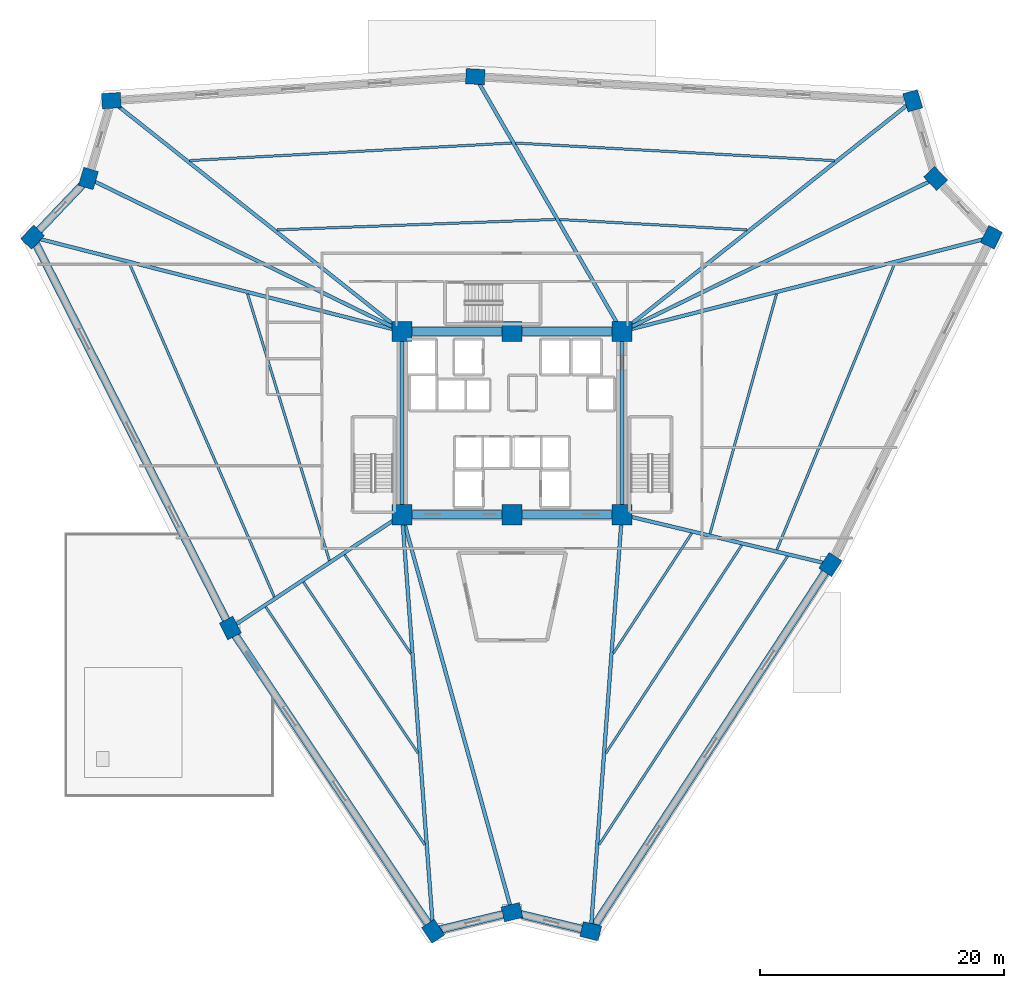
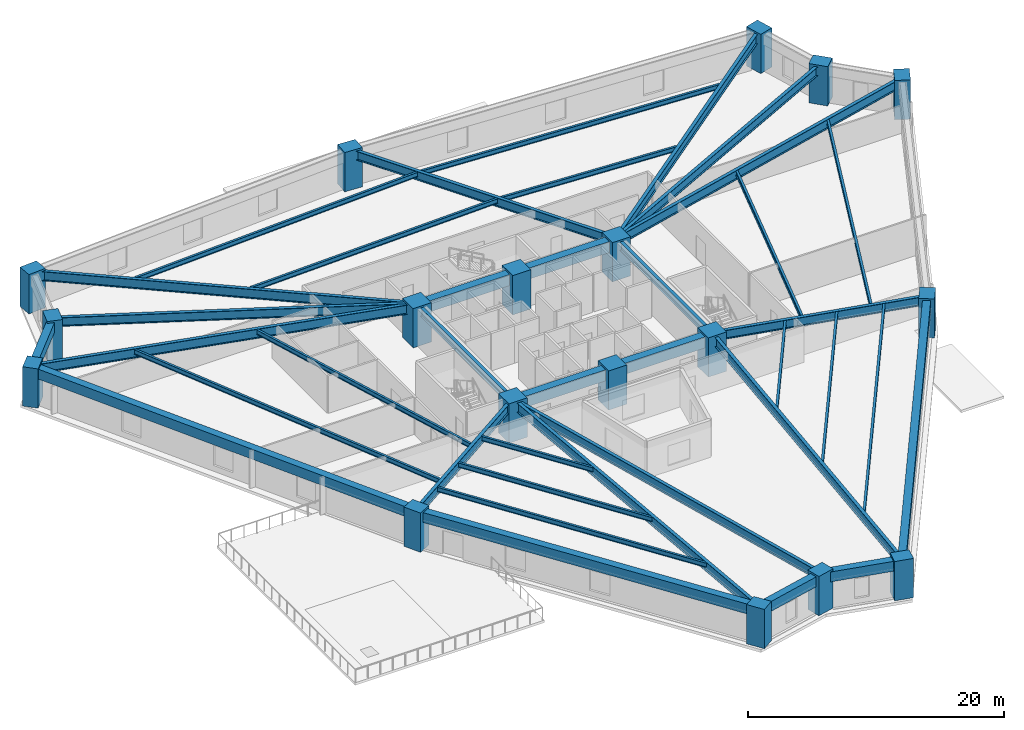
# One storey, part 1 of 9: 38 beams, 18 columns.
"""IFC4 building model written with IfcOpenShell, lengths in metres."""

from ifc_helpers import new_model, si_unit, direction, frame, origin, origin_2d, place, context, subcontext, project, spatial, rectangle, i_section, extrude, source, transform, mapped, material, material_profile, profile_set, type_object, element, save


model = new_model("IFC4")

# Units and contexts
model_context = context("Model", 3, precision=1e-05, world=origin(), true_north=direction((0.0, 1.0)))
body_context = subcontext(model_context, "Body", "Model", "MODEL_VIEW")
ifc_project = project(units=[si_unit("LENGTHUNIT", "METRE"), si_unit("AREAUNIT", "SQUARE_METRE"), si_unit("VOLUMEUNIT", "CUBIC_METRE"), si_unit("PLANEANGLEUNIT", "RADIAN"), si_unit("MASSUNIT", "GRAM", prefix="KILO")], contexts=[model_context])

# Site, building, storey
site_placement = place(None, origin())
site = spatial("IfcSite", under=ifc_project, at=site_placement, CompositionType="ELEMENT")
building_placement = place(site_placement, origin())
building = spatial("IfcBuilding", under=site, at=building_placement, Name="Liaohun Quay Tower", CompositionType="ELEMENT")
storey_placement = place(building_placement, frame((0.0, 0.0, 28.5)))
storey = spatial("IfcBuildingStorey", under=building, at=storey_placement, Name="L07", CompositionType="ELEMENT", Elevation=28.5)

# Columns
ifc_material_1 = material(Name="Concrete C60", Category="concrete")
ifc_material_profile_1 = material_profile(ifc_material_1, rectangle(XDim=1.64990234375, YDim=1.64990234375, at=origin_2d()), Name="RC1650x1650")
ifc_profile_set_1 = profile_set([ifc_material_profile_1], Name="Concrete C60")
column_type_1 = type_object("IfcColumnType", Name="COL-CC-Z1", PredefinedType="COLUMN", material=ifc_profile_set_1)
shared_shape_1 = source(origin(), body_context, "Body", "SweptSolid", [
    extrude(rectangle(XDim=1.64990234375, YDim=1.64990234375, at=origin_2d()), origin(), (0.0, 0.0, 1.0), 3.75),
])
for number, where, z_axis, x_axis, name in (
    (1, (51.0, 46.5, 0.0), (0.0, 0.0, 1.0), (1.0, 0.0, 0.0), "L07 Core Column CC1"),
    (2, (60.0, 46.5, 0.0), (0.0, 0.0, 1.0), (1.0, 0.0, 0.0), "L07 Core Column CC2"),
    (3, (69.0, 46.5, 0.0), (0.0, 0.0, 1.0), (1.0, 0.0, 0.0), "L07 Core Column CC3"),
    (4, (69.0, 61.5, 0.0), (0.0, 0.0, 1.0), (1.0, 0.0, 0.0), "L07 Core Column CC4"),
    (5, (60.0, 61.5, 0.0), (0.0, 0.0, 1.0), (1.0, 0.0, 0.0), "L07 Core Column CC5"),
    (6, (51.0, 61.5, 0.0), (0.0, 0.0, 1.0), (1.0, 0.0, 0.0), "L07 Core Column CC6"),
):
    element("IfcColumn", number, at=place(storey_placement, frame(where, z_axis=z_axis, x_axis=x_axis)), inside=storey, type_object=column_type_1, Name=name, PredefinedType="COLUMN", context=body_context, shape_type="MappedRepresentation", body=[
        mapped(shared_shape_1, transform((0.0, 0.0, 0.0), x_axis=(1.0, 0.0, 0.0), y_axis=(0.0, 1.0, 0.0), z_axis=(0.0, 0.0, 1.0), scale=1.0)),
    ])
ifc_material_profile_2 = material_profile(ifc_material_1, rectangle(XDim=1.550048828125, YDim=1.25, at=origin_2d()), Name="RC1550x1250")
ifc_profile_set_2 = profile_set([ifc_material_profile_2], Name="Concrete C60")
column_type_2 = type_object("IfcColumnType", Name="COL-PIER-Z1", PredefinedType="COLUMN", material=ifc_profile_set_2)
shared_shape_2 = source(origin(), body_context, "Body", "SweptSolid", [
    extrude(rectangle(XDim=1.550048828125, YDim=1.25, at=origin_2d()), origin(), (0.0, 0.0, 1.0), 3.75),
])
for number, where, z_axis, x_axis, name in (
    (7, (53.5458984375, 12.39697265625, 0.0), (0.0, 0.0, 1.0), (-0.556005513314, 0.831178602446, 0.0), "L07 Perimeter Pier PC01"),
    (8, (36.94091796875, 37.217041015625, 0.0), (0.0, 0.0, 1.0), (-0.451500573218, 0.892270829056, 0.0), "L07 Perimeter Pier PC02"),
    (9, (20.748046875, 69.217041015625, 0.0), (0.0, 0.0, 1.0), (0.68936671806, 0.724412539946, 0.0), "L07 Perimeter Pier PC03"),
    (10, (25.321044921875, 74.02197265625, 0.0), (0.0, 0.0, 1.0), (0.282676303383, 0.959215360337, 0.0), "L07 Perimeter Pier PC04"),
    (11, (27.198974609375, 80.39111328125, 0.0), (0.0, 0.0, 1.0), (0.997824541457, 0.065925597951, 0.0), "L07 Perimeter Pier PC05"),
    (12, (56.9951171875, 82.360107421875, 0.0), (0.0, 0.0, 1.0), (-0.998479491627, 0.055124448298, 0.0), "L07 Perimeter Pier PC06"),
    (13, (92.802978515625, 80.384033203125, 0.0), (0.0, 0.0, 1.0), (-0.282676303383, 0.959215360337, 0.0), "L07 Perimeter Pier PC07"),
    (14, (94.678955078125, 74.02197265625, 0.0), (0.0, 0.0, 1.0), (-0.68936671806, 0.724412539946, 0.0), "L07 Perimeter Pier PC08"),
    (15, (99.256103515625, 69.2119140625, 0.0), (0.0, 0.0, 1.0), (0.441819028143, 0.897104200397, 0.0), "L07 Perimeter Pier PC09"),
    (16, (86.06396484375, 42.423095703125, 0.0), (0.0, 0.0, 1.0), (0.546978918409, 0.837146380758, 0.0), "L07 Perimeter Pier PC10"),
    (17, (66.447998046875, 12.39892578125, 0.0), (0.0, 0.0, 1.0), (-0.972043021443, 0.234802820391, 0.0), "L07 Perimeter Pier PC11"),
    (18, (60.0, 13.9560546875, 0.0), (0.0, 0.0, 1.0), (0.972043021443, 0.234802820391, 0.0), "L07 Perimeter Pier PC12"),
):
    element("IfcColumn", number, at=place(storey_placement, frame(where, z_axis=z_axis, x_axis=x_axis)), inside=storey, type_object=column_type_2, Name=name, PredefinedType="COLUMN", context=body_context, shape_type="MappedRepresentation", body=[
        mapped(shared_shape_2, transform((0.0, 0.0, 0.0), x_axis=(1.0, 0.0, 0.0), y_axis=(0.0, 1.0, 0.0), z_axis=(0.0, 0.0, 1.0), scale=1.0)),
    ])

# Beams
ifc_material_profile_3 = material_profile(ifc_material_1, rectangle(XDim=0.699951171875, YDim=1.050048828125, at=origin_2d()), Name="RC700x1050")
ifc_profile_set_3 = profile_set([ifc_material_profile_3], Name="Concrete C60")
beam_type_1 = type_object("IfcBeamType", Name="BM-CPL-1", PredefinedType="LINTEL", material=ifc_profile_set_3)
shared_shape_3 = source(origin(), body_context, "Body", "SweptSolid", [
    extrude(rectangle(XDim=0.699951171875, YDim=1.050048828125, at=origin_2d()), origin(), (0.0, 0.0, 1.0), 9.0),
])
for number, where, z_axis, x_axis, name in (
    (19, (51.0, 46.5, 3.044921875), (1.0, 0.0, 0.0), (0.0, 1.0, 0.0), "L07 Core Coupling/Ring Beam CC1-CC2"),
    (20, (60.0, 46.5, 3.044921875), (1.0, 0.0, 0.0), (0.0, 1.0, 0.0), "L07 Core Coupling/Ring Beam CC2-CC3"),
    (21, (69.0, 61.5, 3.044921875), (-1.0, 0.0, 0.0), (0.0, -1.0, 0.0), "L07 Core Coupling/Ring Beam CC4-CC5"),
    (22, (60.0, 61.5, 3.044921875), (-1.0, 0.0, 0.0), (0.0, -1.0, 0.0), "L07 Core Coupling/Ring Beam CC5-CC6"),
):
    element("IfcBeam", number, at=place(storey_placement, frame(where, z_axis=z_axis, x_axis=x_axis)), inside=storey, type_object=beam_type_1, Name=name, PredefinedType="LINTEL", context=body_context, shape_type="MappedRepresentation", body=[
        mapped(shared_shape_3, transform((0.0, 0.0, 0.0), x_axis=(1.0, 0.0, 0.0), y_axis=(0.0, 1.0, 0.0), z_axis=(0.0, 0.0, 1.0), scale=1.0)),
    ])
ifc_material_2 = material(Name="Steel Q355D", Category="steel")
ifc_material_profile_4 = material_profile(ifc_material_2, i_section(OverallWidth=0.300048828125, OverallDepth=0.800048828125, WebThickness=0.013916015625, FlangeThickness=0.02587890625, at=origin_2d()), Name="HN800x300x14x26")
ifc_profile_set_4 = profile_set([ifc_material_profile_4], Name="Steel Q355D")
beam_type_2 = type_object("IfcBeamType", Name="BM-RAD-M1", PredefinedType="BEAM", material=ifc_profile_set_4)
shared_shape_4 = source(origin(), body_context, "Body", "SweptSolid", [
    extrude(i_section(OverallWidth=0.300048828125, OverallDepth=0.800048828125, WebThickness=0.013916015625, FlangeThickness=0.02587890625, at=origin_2d()), origin(), (0.0, 0.0, 1.0), 15.0),
])
for number, where, z_axis, x_axis, name in (
    (23, (69.0, 46.5, 3.169921875), (0.0, 1.0, 0.0), (-1.0, 0.0, 0.0), "L07 Core Coupling/Ring Beam CC3-CC4"),
    (24, (51.0, 61.5, 3.169921875), (0.0, -1.0, 0.0), (1.0, 0.0, 0.0), "L07 Core Coupling/Ring Beam CC6-CC1"),
):
    element("IfcBeam", number, at=place(storey_placement, frame(where, z_axis=z_axis, x_axis=x_axis)), inside=storey, type_object=beam_type_2, Name=name, PredefinedType="BEAM", context=body_context, shape_type="MappedRepresentation", body=[
        mapped(shared_shape_4, transform((0.0, 0.0, 0.0), x_axis=(1.0, 0.0, 0.0), y_axis=(0.0, 1.0, 0.0), z_axis=(0.0, 0.0, 1.0), scale=1.0)),
    ])
ifc_material_3 = material(Name="Precast concrete C55", Category="concrete")
ifc_material_profile_5 = material_profile(ifc_material_3, rectangle(XDim=0.64990234375, YDim=0.949951171875, at=origin_2d()), Name="RC650x950")
ifc_profile_set_5 = profile_set([ifc_material_profile_5], Name="Precast concrete C55")
beam_type_3 = type_object("IfcBeamType", Name="BM-SPD-Z1", PredefinedType="SPANDREL", material=ifc_profile_set_5)
shared_shape_5 = source(origin(), body_context, "Body", "SweptSolid", [
    extrude(rectangle(XDim=0.64990234375, YDim=0.949951171875, at=origin_2d()), origin(), (0.0, 0.0, 1.0), 29.8623046875),
])
beam_1_placement = place(storey_placement, frame((53.5458984375, 12.39697265625, 3.094970703125), z_axis=(-0.556050313847, 0.831148631997, 0.0), x_axis=(-0.831148631997, -0.556050313847, 0.0)))
element("IfcBeam", 25, at=beam_1_placement, inside=storey, type_object=beam_type_3, Name="L07 Precast Spandrel Beam PC01-PC02", PredefinedType="SPANDREL", context=body_context, shape_type="MappedRepresentation", body=[
    mapped(shared_shape_5, transform((0.0, 0.0, 0.0), x_axis=(1.0, 0.0, 0.0), y_axis=(0.0, 1.0, 0.0), z_axis=(0.0, 0.0, 1.0), scale=1.0)),
])
shared_shape_6 = source(origin(), body_context, "Body", "SweptSolid", [
    extrude(rectangle(XDim=0.64990234375, YDim=0.949951171875, at=origin_2d()), origin(), (0.0, 0.0, 1.0), 35.86376953125),
])
beam_2_placement = place(storey_placement, frame((36.94091796875, 37.217041015625, 3.094970703125), z_axis=(-0.451510728303, 0.892265690379, 0.0), x_axis=(-0.892265690379, -0.451510728303, 0.0)))
element("IfcBeam", 26, at=beam_2_placement, inside=storey, type_object=beam_type_3, Name="L07 Precast Spandrel Beam PC02-PC03", PredefinedType="SPANDREL", context=body_context, shape_type="MappedRepresentation", body=[
    mapped(shared_shape_6, transform((0.0, 0.0, 0.0), x_axis=(1.0, 0.0, 0.0), y_axis=(0.0, 1.0, 0.0), z_axis=(0.0, 0.0, 1.0), scale=1.0)),
])
shared_shape_7 = source(origin(), body_context, "Body", "SweptSolid", [
    extrude(rectangle(XDim=0.64990234375, YDim=0.949951171875, at=origin_2d()), origin(), (0.0, 0.0, 1.0), 6.63330078125),
])
for number, where, z_axis, x_axis, name in (
    (27, (20.748046875, 69.217041015625, 3.094970703125), (0.689407908081, 0.724373340395, 0.0), (-0.724373340395, 0.689407908081, 0.0), "L07 Precast Spandrel Beam PC03-PC04"),
    (28, (66.447998046875, 12.39892578125, 3.094970703125), (-0.97205759762, 0.234742469335, 0.0), (-0.234742469335, -0.97205759762, 0.0), "L07 Precast Spandrel Beam PC11-PC12"),
):
    element("IfcBeam", number, at=place(storey_placement, frame(where, z_axis=z_axis, x_axis=x_axis)), inside=storey, type_object=beam_type_3, Name=name, PredefinedType="SPANDREL", context=body_context, shape_type="MappedRepresentation", body=[
        mapped(shared_shape_7, transform((0.0, 0.0, 0.0), x_axis=(1.0, 0.0, 0.0), y_axis=(0.0, 1.0, 0.0), z_axis=(0.0, 0.0, 1.0), scale=1.0)),
    ])
shared_shape_8 = source(origin(), body_context, "Body", "SweptSolid", [
    extrude(rectangle(XDim=0.64990234375, YDim=0.949951171875, at=origin_2d()), origin(), (0.0, 0.0, 1.0), 35.8642578125),
])
beam_3_placement = place(storey_placement, frame((86.06396484375, 42.423095703125, 3.094970703125), z_axis=(-0.546952019075, -0.837163955764, 0.0), x_axis=(0.837163955764, -0.546952019075, 0.0)))
element("IfcBeam", 29, at=beam_3_placement, inside=storey, type_object=beam_type_3, Name="L07 Precast Spandrel Beam PC10-PC11", PredefinedType="SPANDREL", context=body_context, shape_type="MappedRepresentation", body=[
    mapped(shared_shape_8, transform((0.0, 0.0, 0.0), x_axis=(1.0, 0.0, 0.0), y_axis=(0.0, 1.0, 0.0), z_axis=(0.0, 0.0, 1.0), scale=1.0)),
])
shared_shape_9 = source(origin(), body_context, "Body", "SweptSolid", [
    extrude(rectangle(XDim=0.64990234375, YDim=0.949951171875, at=origin_2d()), origin(), (0.0, 0.0, 1.0), 6.6396484375),
])
beam_4_placement = place(storey_placement, frame((60.0, 13.9560546875, 3.094970703125), z_axis=(-0.972041127414, -0.234810661207, 0.0), x_axis=(0.234810661207, -0.972041127414, 0.0)))
element("IfcBeam", 30, at=beam_4_placement, inside=storey, type_object=beam_type_3, Name="L07 Precast Spandrel Beam PC12-PC01", PredefinedType="SPANDREL", context=body_context, shape_type="MappedRepresentation", body=[
    mapped(shared_shape_9, transform((0.0, 0.0, 0.0), x_axis=(1.0, 0.0, 0.0), y_axis=(0.0, 1.0, 0.0), z_axis=(0.0, 0.0, 1.0), scale=1.0)),
])
ifc_material_4 = material(Name="Steel Q420D", Category="steel")
ifc_material_profile_6 = material_profile(ifc_material_4, i_section(OverallWidth=0.300048828125, OverallDepth=0.89990234375, WebThickness=0.01611328125, FlangeThickness=0.028076171875, at=origin_2d()), Name="HN900x300x16x28")
ifc_profile_set_6 = profile_set([ifc_material_profile_6], Name="Steel Q420D")
beam_type_4 = type_object("IfcBeamType", Name="BM-RAD-H1", PredefinedType="BEAM", material=ifc_profile_set_6)
shared_shape_10 = source(origin(), body_context, "Body", "SweptSolid", [
    extrude(i_section(OverallWidth=0.300048828125, OverallDepth=0.89990234375, WebThickness=0.01611328125, FlangeThickness=0.028076171875, at=origin_2d()), origin(), (0.0, 0.0, 1.0), 34.197998046875),
])
beam_5_placement = place(storey_placement, frame((51.0, 46.5, 3.1201171875), z_axis=(0.074445991652, -0.997225046981, 0.0), x_axis=(0.997225046981, 0.074445991652, 0.0)))
element("IfcBeam", 31, at=beam_5_placement, inside=storey, type_object=beam_type_4, Name="L07 Radial Primary Girder CC1-PC01", PredefinedType="BEAM", context=body_context, shape_type="MappedRepresentation", body=[
    mapped(shared_shape_10, transform((0.0, 0.0, 0.0), x_axis=(1.0, 0.0, 0.0), y_axis=(0.0, 1.0, 0.0), z_axis=(0.0, 0.0, 1.0), scale=1.0)),
])
ifc_material_profile_7 = material_profile(ifc_material_2, i_section(OverallWidth=0.300048828125, OverallDepth=0.85009765625, WebThickness=0.01611328125, FlangeThickness=0.028076171875, at=origin_2d()), Name="HN850x300x16x28")
ifc_profile_set_7 = profile_set([ifc_material_profile_7], Name="Steel Q355D")
beam_type_5 = type_object("IfcBeamType", Name="BM-RAD-H2", PredefinedType="BEAM", material=ifc_profile_set_7)
shared_shape_11 = source(origin(), body_context, "Body", "SweptSolid", [
    extrude(i_section(OverallWidth=0.300048828125, OverallDepth=0.85009765625, WebThickness=0.01611328125, FlangeThickness=0.028076171875, at=origin_2d()), origin(), (0.0, 0.0, 1.0), 16.84716796875),
])
beam_6_placement = place(storey_placement, frame((51.0, 46.5, 3.14501953125), z_axis=(-0.834501195619, -0.551006129285, 0.0), x_axis=(0.551006129285, -0.834501195619, 0.0)))
element("IfcBeam", 32, at=beam_6_placement, inside=storey, type_object=beam_type_5, Name="L07 Radial Primary Girder CC1-PC02", PredefinedType="BEAM", context=body_context, shape_type="MappedRepresentation", body=[
    mapped(shared_shape_11, transform((0.0, 0.0, 0.0), x_axis=(1.0, 0.0, 0.0), y_axis=(0.0, 1.0, 0.0), z_axis=(0.0, 0.0, 1.0), scale=1.0)),
])
shared_shape_12 = source(origin(), body_context, "Body", "SweptSolid", [
    extrude(i_section(OverallWidth=0.300048828125, OverallDepth=0.89990234375, WebThickness=0.01611328125, FlangeThickness=0.028076171875, at=origin_2d()), origin(), (0.0, 0.0, 1.0), 31.220703125),
])
beam_7_placement = place(storey_placement, frame((51.0, 61.5, 3.1201171875), z_axis=(-0.968970370292, 0.247176903242, 0.0), x_axis=(-0.247176903242, -0.968970370292, 0.0)))
element("IfcBeam", 33, at=beam_7_placement, inside=storey, type_object=beam_type_4, Name="L07 Radial Primary Girder CC6-PC03", PredefinedType="BEAM", context=body_context, shape_type="MappedRepresentation", body=[
    mapped(shared_shape_12, transform((0.0, 0.0, 0.0), x_axis=(1.0, 0.0, 0.0), y_axis=(0.0, 1.0, 0.0), z_axis=(0.0, 0.0, 1.0), scale=1.0)),
])
shared_shape_13 = source(origin(), body_context, "Body", "SweptSolid", [
    extrude(i_section(OverallWidth=0.300048828125, OverallDepth=0.85009765625, WebThickness=0.01611328125, FlangeThickness=0.028076171875, at=origin_2d()), origin(), (0.0, 0.0, 1.0), 28.5693359375),
])
for number, where, z_axis, x_axis, name in (
    (34, (51.0, 61.5, 3.14501953125), (-0.89882839153, 0.438300721628, 0.0), (-0.438300721628, -0.89882839153, 0.0), "L07 Radial Primary Girder CC6-PC04"),
    (35, (69.0, 61.5, 3.14501953125), (0.89882839153, 0.438300721628, 0.0), (-0.438300721628, 0.89882839153, 0.0), "L07 Radial Primary Girder CC4-PC08"),
):
    element("IfcBeam", number, at=place(storey_placement, frame(where, z_axis=z_axis, x_axis=x_axis)), inside=storey, type_object=beam_type_5, Name=name, PredefinedType="BEAM", context=body_context, shape_type="MappedRepresentation", body=[
        mapped(shared_shape_13, transform((0.0, 0.0, 0.0), x_axis=(1.0, 0.0, 0.0), y_axis=(0.0, 1.0, 0.0), z_axis=(0.0, 0.0, 1.0), scale=1.0)),
    ])
shared_shape_14 = source(origin(), body_context, "Body", "SweptSolid", [
    extrude(i_section(OverallWidth=0.300048828125, OverallDepth=0.89990234375, WebThickness=0.01611328125, FlangeThickness=0.028076171875, at=origin_2d()), origin(), (0.0, 0.0, 1.0), 30.386962890625),
])
beam_8_placement = place(storey_placement, frame((51.0, 61.5, 3.1201171875), z_axis=(-0.783266298389, 0.621686340374, 0.0), x_axis=(-0.621686340374, -0.783266298389, 0.0)))
element("IfcBeam", 36, at=beam_8_placement, inside=storey, type_object=beam_type_4, Name="L07 Radial Primary Girder CC6-PC05", PredefinedType="BEAM", context=body_context, shape_type="MappedRepresentation", body=[
    mapped(shared_shape_14, transform((0.0, 0.0, 0.0), x_axis=(1.0, 0.0, 0.0), y_axis=(0.0, 1.0, 0.0), z_axis=(0.0, 0.0, 1.0), scale=1.0)),
])
shared_shape_15 = source(origin(), body_context, "Body", "SweptSolid", [
    extrude(i_section(OverallWidth=0.300048828125, OverallDepth=0.85009765625, WebThickness=0.01611328125, FlangeThickness=0.028076171875, at=origin_2d()), origin(), (0.0, 0.0, 1.0), 24.06787109375),
])
beam_9_placement = place(storey_placement, frame((69.0, 61.5, 3.14501953125), z_axis=(-0.498793367869, 0.866720933271, 0.0), x_axis=(-0.866720933271, -0.498793367869, 0.0)))
element("IfcBeam", 37, at=beam_9_placement, inside=storey, type_object=beam_type_5, Name="L07 Radial Primary Girder CC4-PC06", PredefinedType="BEAM", context=body_context, shape_type="MappedRepresentation", body=[
    mapped(shared_shape_15, transform((0.0, 0.0, 0.0), x_axis=(1.0, 0.0, 0.0), y_axis=(0.0, 1.0, 0.0), z_axis=(0.0, 0.0, 1.0), scale=1.0)),
])
shared_shape_16 = source(origin(), body_context, "Body", "SweptSolid", [
    extrude(i_section(OverallWidth=0.300048828125, OverallDepth=0.89990234375, WebThickness=0.01611328125, FlangeThickness=0.028076171875, at=origin_2d()), origin(), (0.0, 0.0, 1.0), 30.384033203125),
])
beam_10_placement = place(storey_placement, frame((69.0, 61.5, 3.1201171875), z_axis=(0.783404591405, 0.621512064377, 0.0), x_axis=(-0.621512064377, 0.783404591405, 0.0)))
element("IfcBeam", 38, at=beam_10_placement, inside=storey, type_object=beam_type_4, Name="L07 Radial Primary Girder CC4-PC07", PredefinedType="BEAM", context=body_context, shape_type="MappedRepresentation", body=[
    mapped(shared_shape_16, transform((0.0, 0.0, 0.0), x_axis=(1.0, 0.0, 0.0), y_axis=(0.0, 1.0, 0.0), z_axis=(0.0, 0.0, 1.0), scale=1.0)),
])
shared_shape_17 = source(origin(), body_context, "Body", "SweptSolid", [
    extrude(i_section(OverallWidth=0.300048828125, OverallDepth=0.89990234375, WebThickness=0.01611328125, FlangeThickness=0.028076171875, at=origin_2d()), origin(), (0.0, 0.0, 1.0), 31.223388671875),
])
beam_11_placement = place(storey_placement, frame((69.0, 61.5, 3.1201171875), z_axis=(0.969017801214, 0.246990892404, 0.0), x_axis=(-0.246990892404, 0.969017801214, 0.0)))
element("IfcBeam", 39, at=beam_11_placement, inside=storey, type_object=beam_type_4, Name="L07 Radial Primary Girder CC4-PC09", PredefinedType="BEAM", context=body_context, shape_type="MappedRepresentation", body=[
    mapped(shared_shape_17, transform((0.0, 0.0, 0.0), x_axis=(1.0, 0.0, 0.0), y_axis=(0.0, 1.0, 0.0), z_axis=(0.0, 0.0, 1.0), scale=1.0)),
])
shared_shape_18 = source(origin(), body_context, "Body", "SweptSolid", [
    extrude(i_section(OverallWidth=0.300048828125, OverallDepth=0.85009765625, WebThickness=0.01611328125, FlangeThickness=0.028076171875, at=origin_2d()), origin(), (0.0, 0.0, 1.0), 17.544189453125),
])
beam_12_placement = place(storey_placement, frame((69.0, 46.5, 3.14501953125), z_axis=(0.972625403076, -0.23237862486, 0.0), x_axis=(0.23237862486, 0.972625403076, 0.0)))
element("IfcBeam", 40, at=beam_12_placement, inside=storey, type_object=beam_type_5, Name="L07 Radial Primary Girder CC3-PC10", PredefinedType="BEAM", context=body_context, shape_type="MappedRepresentation", body=[
    mapped(shared_shape_18, transform((0.0, 0.0, 0.0), x_axis=(1.0, 0.0, 0.0), y_axis=(0.0, 1.0, 0.0), z_axis=(0.0, 0.0, 1.0), scale=1.0)),
])
shared_shape_19 = source(origin(), body_context, "Body", "SweptSolid", [
    extrude(i_section(OverallWidth=0.300048828125, OverallDepth=0.89990234375, WebThickness=0.01611328125, FlangeThickness=0.028076171875, at=origin_2d()), origin(), (0.0, 0.0, 1.0), 34.196533203125),
])
beam_13_placement = place(storey_placement, frame((69.0, 46.5, 3.1201171875), z_axis=(-0.074627725384, -0.997211463334, 0.0), x_axis=(0.997211463334, -0.074627725384, 0.0)))
element("IfcBeam", 41, at=beam_13_placement, inside=storey, type_object=beam_type_4, Name="L07 Radial Primary Girder CC3-PC11", PredefinedType="BEAM", context=body_context, shape_type="MappedRepresentation", body=[
    mapped(shared_shape_19, transform((0.0, 0.0, 0.0), x_axis=(1.0, 0.0, 0.0), y_axis=(0.0, 1.0, 0.0), z_axis=(0.0, 0.0, 1.0), scale=1.0)),
])
shared_shape_20 = source(origin(), body_context, "Body", "SweptSolid", [
    extrude(i_section(OverallWidth=0.300048828125, OverallDepth=0.85009765625, WebThickness=0.01611328125, FlangeThickness=0.028076171875, at=origin_2d()), origin(), (0.0, 0.0, 1.0), 33.765380859375),
])
beam_14_placement = place(storey_placement, frame((51.0, 46.5, 3.14501953125), z_axis=(0.266544325494, -0.963822661358, 0.0), x_axis=(0.963822661358, 0.266544325494, 0.0)))
element("IfcBeam", 42, at=beam_14_placement, inside=storey, type_object=beam_type_5, Name="L07 Radial Primary Girder CC1-PC12", PredefinedType="BEAM", context=body_context, shape_type="MappedRepresentation", body=[
    mapped(shared_shape_20, transform((0.0, 0.0, 0.0), x_axis=(1.0, 0.0, 0.0), y_axis=(0.0, 1.0, 0.0), z_axis=(0.0, 0.0, 1.0), scale=1.0)),
])
ifc_material_profile_8 = material_profile(ifc_material_2, i_section(OverallWidth=0.199951171875, OverallDepth=0.449951171875, WebThickness=0.009033203125, FlangeThickness=0.013916015625, at=origin_2d()), Name="HN450x200x9x14")
ifc_profile_set_8 = profile_set([ifc_material_profile_8], Name="Steel Q355D")
beam_type_6 = type_object("IfcBeamType", Name="BM-SEC-J1", PredefinedType="JOIST", material=ifc_profile_set_8)
shared_shape_21 = source(origin(), body_context, "Body", "SweptSolid", [
    extrude(i_section(OverallWidth=0.199951171875, OverallDepth=0.449951171875, WebThickness=0.009033203125, FlangeThickness=0.013916015625, at=origin_2d()), origin(), (0.0, 0.0, 1.0), 9.69873046875),
])
beam_15_placement = place(storey_placement, frame((51.696044921875, 35.157958984375, 3.344970703125), z_axis=(-0.556058766697, 0.831142976858, 0.0), x_axis=(-0.831142976858, -0.556058766697, 0.0)))
element("IfcBeam", 43, at=beam_15_placement, inside=storey, type_object=beam_type_6, Name="L07 Wing Secondary Floor Joist SJ-01", PredefinedType="JOIST", context=body_context, shape_type="MappedRepresentation", body=[
    mapped(shared_shape_21, transform((0.0, 0.0, 0.0), x_axis=(1.0, 0.0, 0.0), y_axis=(0.0, 1.0, 0.0), z_axis=(0.0, 0.0, 1.0), scale=1.0)),
])
shared_shape_22 = source(origin(), body_context, "Body", "SweptSolid", [
    extrude(i_section(OverallWidth=0.199951171875, OverallDepth=0.449951171875, WebThickness=0.009033203125, FlangeThickness=0.013916015625, at=origin_2d()), origin(), (0.0, 0.0, 1.0), 16.86572265625),
])
beam_16_placement = place(storey_placement, frame((52.306884765625, 26.972900390625, 3.344970703125), z_axis=(-0.556035687629, 0.83115841696, 0.0), x_axis=(-0.83115841696, -0.556035687629, 0.0)))
element("IfcBeam", 44, at=beam_16_placement, inside=storey, type_object=beam_type_6, Name="L07 Wing Secondary Floor Joist SJ-02", PredefinedType="JOIST", context=body_context, shape_type="MappedRepresentation", body=[
    mapped(shared_shape_22, transform((0.0, 0.0, 0.0), x_axis=(1.0, 0.0, 0.0), y_axis=(0.0, 1.0, 0.0), z_axis=(0.0, 0.0, 1.0), scale=1.0)),
])
shared_shape_23 = source(origin(), body_context, "Body", "SweptSolid", [
    extrude(i_section(OverallWidth=0.199951171875, OverallDepth=0.449951171875, WebThickness=0.009033203125, FlangeThickness=0.013916015625, at=origin_2d()), origin(), (0.0, 0.0, 1.0), 23.43505859375),
])
beam_17_placement = place(storey_placement, frame((52.866943359375, 19.470947265625, 3.344970703125), z_axis=(-0.556048167295, 0.831150068067, 0.0), x_axis=(-0.831150068067, -0.556048167295, 0.0)))
element("IfcBeam", 45, at=beam_17_placement, inside=storey, type_object=beam_type_6, Name="L07 Wing Secondary Floor Joist SJ-03", PredefinedType="JOIST", context=body_context, shape_type="MappedRepresentation", body=[
    mapped(shared_shape_23, transform((0.0, 0.0, 0.0), x_axis=(1.0, 0.0, 0.0), y_axis=(0.0, 1.0, 0.0), z_axis=(0.0, 0.0, 1.0), scale=1.0)),
])
shared_shape_24 = source(origin(), body_context, "Body", "SweptSolid", [
    extrude(i_section(OverallWidth=0.199951171875, OverallDepth=0.449951171875, WebThickness=0.009033203125, FlangeThickness=0.013916015625, at=origin_2d()), origin(), (0.0, 0.0, 1.0), 22.828369140625),
])
beam_18_placement = place(storey_placement, frame((45.049072265625, 42.7509765625, 3.344970703125), z_axis=(-0.293631900675, 0.955918567089, 0.0), x_axis=(-0.955918567089, -0.293631900675, 0.0)))
element("IfcBeam", 46, at=beam_18_placement, inside=storey, type_object=beam_type_6, Name="L07 Wing Secondary Floor Joist SJ-04", PredefinedType="JOIST", context=body_context, shape_type="MappedRepresentation", body=[
    mapped(shared_shape_24, transform((0.0, 0.0, 0.0), x_axis=(1.0, 0.0, 0.0), y_axis=(0.0, 1.0, 0.0), z_axis=(0.0, 0.0, 1.0), scale=1.0)),
])
shared_shape_25 = source(origin(), body_context, "Body", "SweptSolid", [
    extrude(i_section(OverallWidth=0.199951171875, OverallDepth=0.449951171875, WebThickness=0.009033203125, FlangeThickness=0.013916015625, at=origin_2d()), origin(), (0.0, 0.0, 1.0), 29.728271484375),
])
beam_19_placement = place(storey_placement, frame((40.535888671875, 39.77001953125, 3.344970703125), z_axis=(-0.398505384191, 0.91716599303, 0.0), x_axis=(-0.91716599303, -0.398505384191, 0.0)))
element("IfcBeam", 47, at=beam_19_placement, inside=storey, type_object=beam_type_6, Name="L07 Wing Secondary Floor Joist SJ-05", PredefinedType="JOIST", context=body_context, shape_type="MappedRepresentation", body=[
    mapped(shared_shape_25, transform((0.0, 0.0, 0.0), x_axis=(1.0, 0.0, 0.0), y_axis=(0.0, 1.0, 0.0), z_axis=(0.0, 0.0, 1.0), scale=1.0)),
])
shared_shape_26 = source(origin(), body_context, "Body", "SweptSolid", [
    extrude(i_section(OverallWidth=0.199951171875, OverallDepth=0.449951171875, WebThickness=0.009033203125, FlangeThickness=0.013916015625, at=origin_2d()), origin(), (0.0, 0.0, 1.0), 22.805908203125),
])
beam_20_placement = place(storey_placement, frame((40.758056640625, 69.821044921875, 3.344970703125), z_axis=(0.999303436394, 0.037318119073, 0.0), x_axis=(-0.037318119073, 0.999303436394, 0.0)))
element("IfcBeam", 48, at=beam_20_placement, inside=storey, type_object=beam_type_6, Name="L07 Wing Secondary Floor Joist SJ-06", PredefinedType="JOIST", context=body_context, shape_type="MappedRepresentation", body=[
    mapped(shared_shape_26, transform((0.0, 0.0, 0.0), x_axis=(1.0, 0.0, 0.0), y_axis=(0.0, 1.0, 0.0), z_axis=(0.0, 0.0, 1.0), scale=1.0)),
])
shared_shape_27 = source(origin(), body_context, "Body", "SweptSolid", [
    extrude(i_section(OverallWidth=0.199951171875, OverallDepth=0.449951171875, WebThickness=0.009033203125, FlangeThickness=0.013916015625, at=origin_2d()), origin(), (0.0, 0.0, 1.0), 26.3740234375),
])
beam_21_placement = place(storey_placement, frame((33.613037109375, 75.491943359375, 3.344970703125), z_axis=(0.998518580621, 0.054411801618, 0.0), x_axis=(-0.054411801618, 0.998518580621, 0.0)))
element("IfcBeam", 49, at=beam_21_placement, inside=storey, type_object=beam_type_6, Name="L07 Wing Secondary Floor Joist SJ-07", PredefinedType="JOIST", context=body_context, shape_type="MappedRepresentation", body=[
    mapped(shared_shape_27, transform((0.0, 0.0, 0.0), x_axis=(1.0, 0.0, 0.0), y_axis=(0.0, 1.0, 0.0), z_axis=(0.0, 0.0, 1.0), scale=1.0)),
])
shared_shape_28 = source(origin(), body_context, "Body", "SweptSolid", [
    extrude(i_section(OverallWidth=0.199951171875, OverallDepth=0.449951171875, WebThickness=0.009033203125, FlangeThickness=0.013916015625, at=origin_2d()), origin(), (0.0, 0.0, 1.0), 15.37451171875),
])
beam_22_placement = place(storey_placement, frame((63.89697265625, 70.6689453125, 3.344970703125), z_axis=(0.998478087047, -0.055149883844, 0.0), x_axis=(0.055149883844, 0.998478087047, 0.0)))
element("IfcBeam", 50, at=beam_22_placement, inside=storey, type_object=beam_type_6, Name="L07 Wing Secondary Floor Joist SJ-08", PredefinedType="JOIST", context=body_context, shape_type="MappedRepresentation", body=[
    mapped(shared_shape_28, transform((0.0, 0.0, 0.0), x_axis=(1.0, 0.0, 0.0), y_axis=(0.0, 1.0, 0.0), z_axis=(0.0, 0.0, 1.0), scale=1.0)),
])
shared_shape_29 = source(origin(), body_context, "Body", "SweptSolid", [
    extrude(i_section(OverallWidth=0.199951171875, OverallDepth=0.449951171875, WebThickness=0.009033203125, FlangeThickness=0.013916015625, at=origin_2d()), origin(), (0.0, 0.0, 1.0), 26.1337890625),
])
beam_23_placement = place(storey_placement, frame((60.294921875, 76.927001953125, 3.344970703125), z_axis=(0.998480894147, -0.055099038311, 0.0), x_axis=(0.055099038311, 0.998480894147, 0.0)))
element("IfcBeam", 51, at=beam_23_placement, inside=storey, type_object=beam_type_6, Name="L07 Wing Secondary Floor Joist SJ-09", PredefinedType="JOIST", context=body_context, shape_type="MappedRepresentation", body=[
    mapped(shared_shape_29, transform((0.0, 0.0, 0.0), x_axis=(1.0, 0.0, 0.0), y_axis=(0.0, 1.0, 0.0), z_axis=(0.0, 0.0, 1.0), scale=1.0)),
])
shared_shape_30 = source(origin(), body_context, "Body", "SweptSolid", [
    extrude(i_section(OverallWidth=0.199951171875, OverallDepth=0.449951171875, WebThickness=0.009033203125, FlangeThickness=0.013916015625, at=origin_2d()), origin(), (0.0, 0.0, 1.0), 20.38330078125),
])
beam_24_placement = place(storey_placement, frame((81.660888671875, 64.572021484375, 3.344970703125), z_axis=(-0.267564790965, -0.963539870808, 0.0), x_axis=(0.963539870808, -0.267564790965, 0.0)))
element("IfcBeam", 52, at=beam_24_placement, inside=storey, type_object=beam_type_6, Name="L07 Wing Secondary Floor Joist SJ-10", PredefinedType="JOIST", context=body_context, shape_type="MappedRepresentation", body=[
    mapped(shared_shape_30, transform((0.0, 0.0, 0.0), x_axis=(1.0, 0.0, 0.0), y_axis=(0.0, 1.0, 0.0), z_axis=(0.0, 0.0, 1.0), scale=1.0)),
])
shared_shape_31 = source(origin(), body_context, "Body", "SweptSolid", [
    extrude(i_section(OverallWidth=0.199951171875, OverallDepth=0.449951171875, WebThickness=0.009033203125, FlangeThickness=0.013916015625, at=origin_2d()), origin(), (0.0, 0.0, 1.0), 25.3154296875),
])
beam_25_placement = place(storey_placement, frame((91.318115234375, 67.033935546875, 3.344970703125), z_axis=(-0.380522789167, -0.924771543098, 0.0), x_axis=(0.924771543098, -0.380522789167, 0.0)))
element("IfcBeam", 53, at=beam_25_placement, inside=storey, type_object=beam_type_6, Name="L07 Wing Secondary Floor Joist SJ-11", PredefinedType="JOIST", context=body_context, shape_type="MappedRepresentation", body=[
    mapped(shared_shape_31, transform((0.0, 0.0, 0.0), x_axis=(1.0, 0.0, 0.0), y_axis=(0.0, 1.0, 0.0), z_axis=(0.0, 0.0, 1.0), scale=1.0)),
])
shared_shape_32 = source(origin(), body_context, "Body", "SweptSolid", [
    extrude(i_section(OverallWidth=0.199951171875, OverallDepth=0.449951171875, WebThickness=0.009033203125, FlangeThickness=0.013916015625, at=origin_2d()), origin(), (0.0, 0.0, 1.0), 11.7236328125),
])
beam_26_placement = place(storey_placement, frame((74.715087890625, 44.97998046875, 3.344970703125), z_axis=(-0.547026032516, -0.837115595214, 0.0), x_axis=(0.837115595214, -0.547026032516, 0.0)))
element("IfcBeam", 54, at=beam_26_placement, inside=storey, type_object=beam_type_6, Name="L07 Wing Secondary Floor Joist SJ-12", PredefinedType="JOIST", context=body_context, shape_type="MappedRepresentation", body=[
    mapped(shared_shape_32, transform((0.0, 0.0, 0.0), x_axis=(1.0, 0.0, 0.0), y_axis=(0.0, 1.0, 0.0), z_axis=(0.0, 0.0, 1.0), scale=1.0)),
])
shared_shape_33 = source(origin(), body_context, "Body", "SweptSolid", [
    extrude(i_section(OverallWidth=0.199951171875, OverallDepth=0.449951171875, WebThickness=0.009033203125, FlangeThickness=0.013916015625, at=origin_2d()), origin(), (0.0, 0.0, 1.0), 20.33154296875),
])
beam_27_placement = place(storey_placement, frame((78.81005859375, 44.001953125, 3.344970703125), z_axis=(-0.546939382748, -0.837172211435, 0.0), x_axis=(0.837172211435, -0.546939382748, 0.0)))
element("IfcBeam", 55, at=beam_27_placement, inside=storey, type_object=beam_type_6, Name="L07 Wing Secondary Floor Joist SJ-13", PredefinedType="JOIST", context=body_context, shape_type="MappedRepresentation", body=[
    mapped(shared_shape_33, transform((0.0, 0.0, 0.0), x_axis=(1.0, 0.0, 0.0), y_axis=(0.0, 1.0, 0.0), z_axis=(0.0, 0.0, 1.0), scale=1.0)),
])
shared_shape_34 = source(origin(), body_context, "Body", "SweptSolid", [
    extrude(i_section(OverallWidth=0.199951171875, OverallDepth=0.449951171875, WebThickness=0.009033203125, FlangeThickness=0.013916015625, at=origin_2d()), origin(), (0.0, 0.0, 1.0), 28.2216796875),
])
beam_28_placement = place(storey_placement, frame((82.56396484375, 43.10498046875, 3.344970703125), z_axis=(-0.546958446326, -0.837159756554, 0.0), x_axis=(0.837159756554, -0.546958446326, 0.0)))
element("IfcBeam", 56, at=beam_28_placement, inside=storey, type_object=beam_type_6, Name="L07 Wing Secondary Floor Joist SJ-14", PredefinedType="JOIST", context=body_context, shape_type="MappedRepresentation", body=[
    mapped(shared_shape_34, transform((0.0, 0.0, 0.0), x_axis=(1.0, 0.0, 0.0), y_axis=(0.0, 1.0, 0.0), z_axis=(0.0, 0.0, 1.0), scale=1.0)),
])

save(model, "model.ifc")
